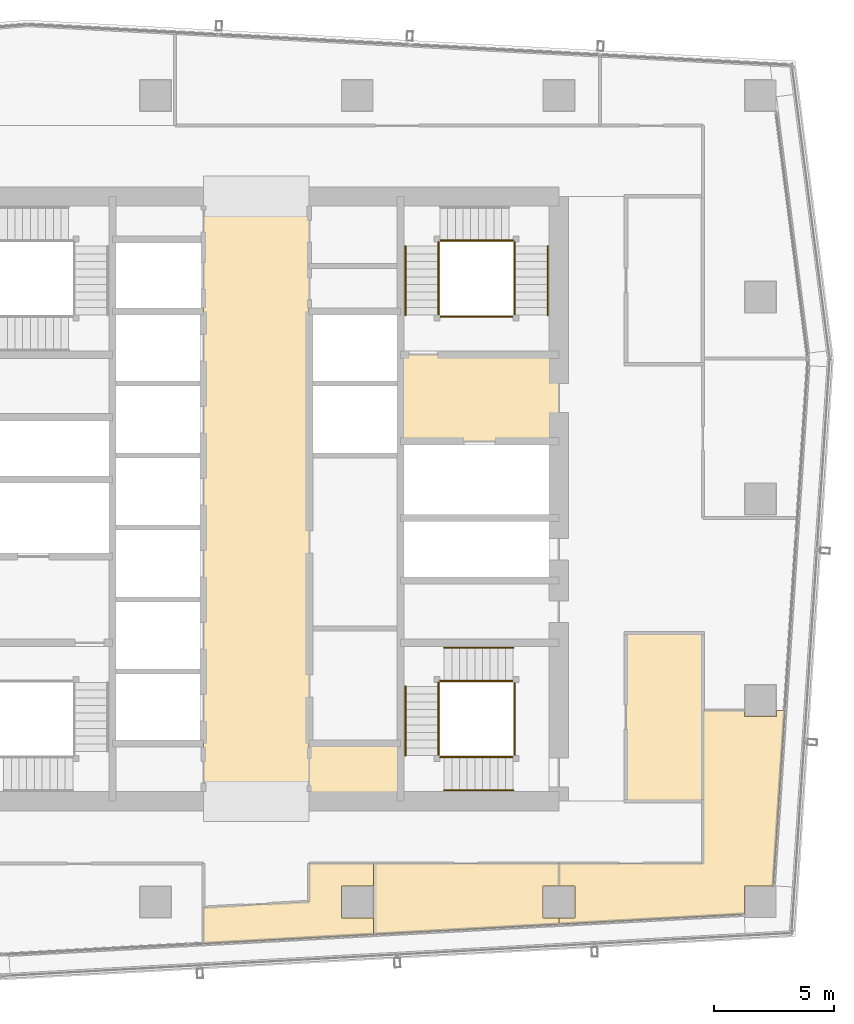
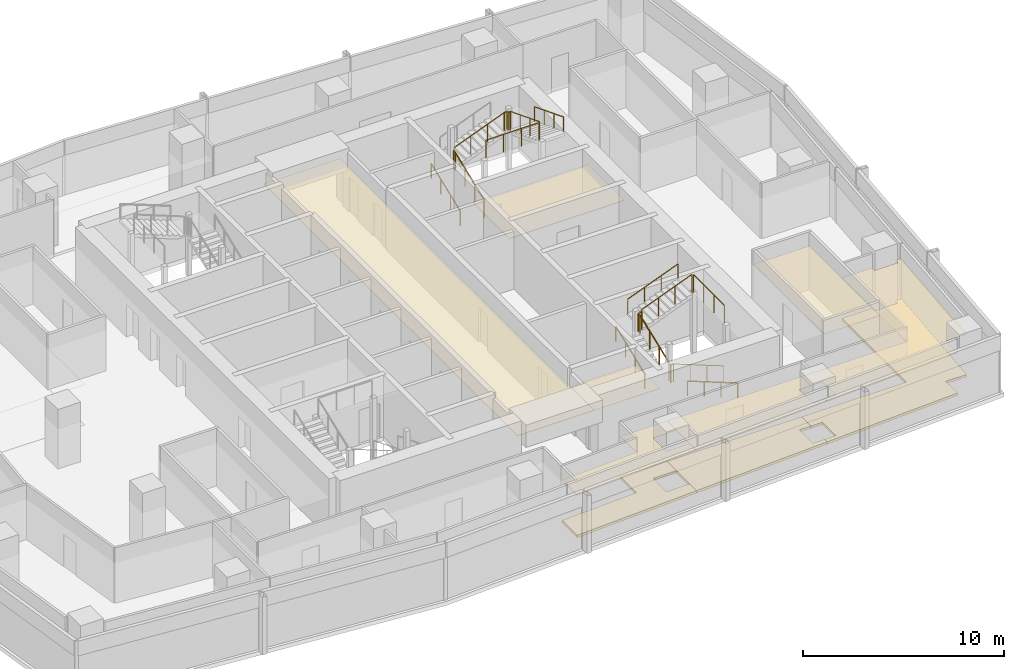
# One storey, part 28 of 29: 19 railings, 10 coverings.
"""IFC4 building model written with IfcOpenShell, lengths in metres."""

import ifcopenshell
import ifcopenshell.guid

model = None  # the IFC model being written
_history = None  # IfcOwnerHistory: only IFC2X3 demands one
_inside = {}  # id of a spatial element -> (the spatial element, [elements in it])
_under = {}  # id of a project, library or spatial element -> (it, [spatial elements below it])
_declared = {}  # id of a project -> (the project, [libraries it declares])
_typed = {}  # id of a type object -> (the type object, [elements of that type])
_made_of = {}  # id of a material, layer set ... -> (it, [elements and type objects made of it])


def new_model(schema):
    """Start an empty IFC model of exactly this schema.

    Asked for "IFC4X3", IfcOpenShell would pick the latest addendum, in which some entities
    have other attributes; the version numbers below select the first issue.
    IFC2X3 requires an IfcOwnerHistory on every rooted entity: one is made here for all.
    """
    global model, _history
    if schema == "IFC4X3":
        model = ifcopenshell.file(schema_version=(4, 3, 0, 0))
    else:
        model = ifcopenshell.file(schema=schema)
    _inside.clear()
    _under.clear()
    _declared.clear()
    _typed.clear()
    _made_of.clear()
    _history = None
    if model.schema == "IFC2X3":
        org = make("IfcOrganization", Name="unknown")
        user = make(
            "IfcPersonAndOrganization",
            ThePerson=make("IfcPerson", FamilyName="unknown"),
            TheOrganization=org,
        )
        app = make(
            "IfcApplication",
            ApplicationDeveloper=org,
            Version="unknown",
            ApplicationFullName="unknown",
            ApplicationIdentifier="unknown",
        )
        _history = make(
            "IfcOwnerHistory",
            OwningUser=user,
            OwningApplication=app,
            ChangeAction="ADDED",
            CreationDate=0,
        )
    return model


def make(cls, **values):
    """One entity of the class cls with the attributes given. An attribute that is None is left unset."""
    return model.create_entity(
        cls, **{name: value for name, value in values.items() if value is not None}
    )


def rooted(cls, **values):
    """An entity with a GlobalId (a new one), such as an element, a storey or a relation."""
    return make(cls, GlobalId=ifcopenshell.guid.new(), OwnerHistory=_history, **values)


def si_unit(unit_type, name, prefix=None):
    """IfcSIUnit, for example si_unit("LENGTHUNIT", "METRE", prefix="MILLI")."""
    return make("IfcSIUnit", UnitType=unit_type, Prefix=prefix, Name=name)


def assignment(units):
    """IfcUnitAssignment: the units of a project."""
    return None if units is None else make("IfcUnitAssignment", Units=units)


def point(xyz):
    """IfcCartesianPoint."""
    return None if xyz is None else make("IfcCartesianPoint", Coordinates=xyz)


def direction(xyz):
    """IfcDirection."""
    return None if xyz is None else make("IfcDirection", DirectionRatios=xyz)


def frame(location, z_axis=None, x_axis=None):
    """IfcAxis2Placement3D, a coordinate frame: its origin and axes. An axis left out is left unset."""
    return make(
        "IfcAxis2Placement3D",
        Location=point(location),
        Axis=direction(z_axis),
        RefDirection=direction(x_axis),
    )


def frame_2d(location, x_axis=None):
    """IfcAxis2Placement2D, a coordinate frame in the plane: its origin and x axis."""
    return make(
        "IfcAxis2Placement2D", Location=point(location), RefDirection=direction(x_axis)
    )


def origin():
    """The frame at (0, 0, 0) with its axes left unset."""
    return frame((0.0, 0.0, 0.0))


def origin_2d():
    """The frame at (0, 0) in the plane with its x axis left unset."""
    return frame_2d((0.0, 0.0))


def place(relative_to, where):
    """IfcLocalPlacement: puts the frame where relative to a parent placement (None: the world)."""
    return make(
        "IfcLocalPlacement", PlacementRelTo=relative_to, RelativePlacement=where
    )


def context(
    kind, dimensions, precision=None, world=None, true_north=None, identifier=None
):
    """IfcGeometricRepresentationContext, for example the 3D "Model" context."""
    return make(
        "IfcGeometricRepresentationContext",
        ContextIdentifier=identifier,
        ContextType=kind,
        CoordinateSpaceDimension=dimensions,
        Precision=precision,
        WorldCoordinateSystem=world,
        TrueNorth=true_north,
    )


def subcontext(parent, identifier, kind, view, scale=None):
    """IfcGeometricRepresentationSubContext, for example "Body" below "Model"."""
    return make(
        "IfcGeometricRepresentationSubContext",
        ContextIdentifier=identifier,
        ContextType=kind,
        ParentContext=parent,
        TargetScale=scale,
        TargetView=view,
    )


def project(units=None, contexts=None):
    """IfcProject with its units and contexts."""
    return rooted(
        "IfcProject",
        Name="project",
        RepresentationContexts=contexts,
        UnitsInContext=assignment(units),
    )


def spatial(cls, under=None, at=None, **own):
    """A site, building, storey or space (cls), placed at a placement, below another one or the project."""
    s = rooted(cls, ObjectPlacement=at, **own)
    if under is not None:
        _under.setdefault(under.id(), (under, []))[1].append(s)
    return s


def polyline(points):
    """IfcPolyline through the points."""
    return make("IfcPolyline", Points=[point(p) for p in points])


def profile(cls, at=None, kind="AREA", **sizes):
    """A parametric profile (cls). Its sizes go by their IFC names, for example OverallWidth=200.0."""
    return make(cls, ProfileType=kind, Position=at, **sizes)


def circle(**sizes):
    """IfcCircleProfileDef."""
    return profile("IfcCircleProfileDef", **sizes)


def outline(outer, holes=None, kind="AREA"):
    """IfcArbitraryClosedProfileDef: a profile drawn as a closed curve; with holes, ...WithVoids."""
    if holes is None:
        return make("IfcArbitraryClosedProfileDef", ProfileType=kind, OuterCurve=outer)
    return make(
        "IfcArbitraryProfileDefWithVoids",
        ProfileType=kind,
        OuterCurve=outer,
        InnerCurves=holes,
    )


def extrude(swept, where, along, depth):
    """IfcExtrudedAreaSolid: the profile swept, set in the frame where, extruded along a direction by depth."""
    return make(
        "IfcExtrudedAreaSolid",
        SweptArea=swept,
        Position=where,
        ExtrudedDirection=direction(along),
        Depth=depth,
    )


def shape(context_of_items, identifier, shape_type, items):
    """IfcShapeRepresentation: the items that make up one representation, for example the "Body"."""
    return make(
        "IfcShapeRepresentation",
        ContextOfItems=context_of_items,
        RepresentationIdentifier=identifier,
        RepresentationType=shape_type,
        Items=items,
    )


def material(Name=None, Category=None):
    """IfcMaterial."""
    return make("IfcMaterial", Name=Name, Category=Category)


def layer(
    of_material, thickness, ventilated=None, Name=None, Category=None, Priority=None
):
    """IfcMaterialLayer: one layer of a wall or slab, of a material (None: an air gap)."""
    return make(
        "IfcMaterialLayer",
        Material=of_material,
        LayerThickness=thickness,
        IsVentilated=ventilated,
        Name=Name,
        Category=Category,
        Priority=Priority,
    )


def layer_set(layers, Name=None):
    """IfcMaterialLayerSet."""
    return make("IfcMaterialLayerSet", MaterialLayers=layers, LayerSetName=Name)


def made_of(thing, what):
    """Note that an element or type object is made of a material, layer set ...; save() writes the relation."""
    if what is not None:
        _made_of.setdefault(what.id(), (what, []))[1].append(thing)
    return thing


def type_object(cls, material=None, **own):
    """A type object (cls), such as IfcWallType, which elements share."""
    return made_of(rooted(cls, **own), material)


def element(
    cls,
    number,
    at=None,
    inside=None,
    cuts=None,
    type_object=None,
    material=None,
    context=None,
    identifier="Body",
    shape_type=None,
    held_by="IfcProductDefinitionShape",
    body=None,
    shapes=None,
    **own,
):
    """One element of the class cls, such as IfcWall. Its Tag is "e" and its number.

    at: its placement. inside: the storey or other place that contains it. cuts: it is an
    opening in that element (IfcRelVoidsElement). A single representation is given by context,
    identifier, shape_type and body (its items); several are given by shapes. held_by: the class
    of the entity that holds the representations. save() writes the other relations.
    """
    e = rooted(cls, Tag="e%d" % number, ObjectPlacement=at, **own)
    if body is not None:
        shapes = [shape(context, identifier, shape_type, body)]
    if shapes is not None:
        e.Representation = make(held_by, Representations=shapes)
    if inside is not None:
        _inside.setdefault(inside.id(), (inside, []))[1].append(e)
    if cuts is not None:
        rooted(
            "IfcRelVoidsElement", RelatingBuildingElement=cuts, RelatedOpeningElement=e
        )
    if type_object is not None:
        _typed.setdefault(type_object.id(), (type_object, []))[1].append(e)
    return made_of(e, material)


def aggregate(whole, parts):
    """IfcRelAggregates: a whole, such as a stair, and the parts it consists of."""
    return rooted("IfcRelAggregates", RelatingObject=whole, RelatedObjects=parts)


def save(model, path):
    """Write the relations noted so far, then the file.

    IfcRelAggregates (storeys below a building ...), IfcRelContainedInSpatialStructure (elements
    in a storey), IfcRelDefinesByType, IfcRelAssociatesMaterial and IfcRelDeclares: one each for
    every whole, place, type object, material and project.
    """
    for whole, parts in _under.values():
        aggregate(whole, parts)
    for where, things in _inside.values():
        rooted(
            "IfcRelContainedInSpatialStructure",
            RelatedElements=things,
            RelatingStructure=where,
        )
    for kind, things in _typed.values():
        rooted("IfcRelDefinesByType", RelatedObjects=things, RelatingType=kind)
    for what, things in _made_of.values():
        rooted("IfcRelAssociatesMaterial", RelatedObjects=things, RelatingMaterial=what)
    for by, libraries in _declared.values():
        rooted("IfcRelDeclares", RelatingContext=by, RelatedDefinitions=libraries)
    model.write(path)


model = new_model("IFC4")

# Units and contexts
model_context = context("Model", 3, precision=1e-05, world=origin(), true_north=direction((0.0, 1.0)))
body_context = subcontext(model_context, "Body", "Model", "MODEL_VIEW")
ifc_project = project(units=[si_unit("LENGTHUNIT", "METRE"), si_unit("AREAUNIT", "SQUARE_METRE"), si_unit("VOLUMEUNIT", "CUBIC_METRE"), si_unit("PLANEANGLEUNIT", "RADIAN"), si_unit("MASSUNIT", "GRAM", prefix="KILO")], contexts=[model_context])

# Site, building, storey
site_placement = place(None, origin())
site = spatial("IfcSite", under=ifc_project, at=site_placement, CompositionType="ELEMENT")
building_placement = place(site_placement, origin())
building = spatial("IfcBuilding", under=site, at=building_placement, Name="Rekha Terrace Tower", CompositionType="ELEMENT")
storey_placement = place(building_placement, frame((0.0, 0.0, 280.10009765625)))
storey = spatial("IfcBuildingStorey", under=building, at=storey_placement, Name="L71", CompositionType="ELEMENT", Elevation=280.10009765625)

# Coverings
ifc_material_1 = material(Name="Mineral fibre tile in exposed grid", Category="finish")
ifc_layer_1 = layer(ifc_material_1, 0.02001953125)
ifc_layer_set_1 = layer_set([ifc_layer_1], Name="Mineral fibre tile in exposed grid")
covering_type_1 = type_object("IfcCoveringType", Name="CL1 600x1200 office grid ceiling", PredefinedType="CEILING", material=ifc_layer_set_1)
covering_1_placement = place(storey_placement, frame((0.0, 0.0, 2.579833984375)))
element("IfcCovering", 1, at=covering_1_placement, inside=storey, type_object=covering_type_1, Name="Ceiling L71-08", PredefinedType="CEILING", context=body_context, shape_type="SweptSolid", body=[
    extrude(outline(polyline([(42.673095703125, 18.39990234375), (40.0, 18.39990234375), (40.0, 16.81103515625), (35.59912109375, 16.571044921875), (35.59912109375, 15.069091796875), (42.673095703125, 15.4541015625), (42.673095703125, 16.135009765625), (41.3349609375, 16.135009765625), (41.3349609375, 17.465087890625), (42.673095703125, 17.465087890625), (42.673095703125, 18.39990234375)])), origin(), (0.0, 0.0, 1.0), 0.02001953125),
])
covering_2_placement = place(storey_placement, frame((0.0, 0.0, 2.579833984375)))
element("IfcCovering", 2, at=covering_2_placement, inside=storey, type_object=covering_type_1, Name="Ceiling L71-09", PredefinedType="CEILING", context=body_context, shape_type="SweptSolid", body=[
    extrude(outline(polyline([(42.674072265625, 18.39990234375), (42.674072265625, 15.4541015625), (50.39990234375, 15.875), (50.39990234375, 16.135009765625), (49.735107421875, 16.135009765625), (49.735107421875, 17.465087890625), (50.39990234375, 17.465087890625), (50.39990234375, 18.39990234375), (42.674072265625, 18.39990234375)])), origin(), (0.0, 0.0, 1.0), 0.02001953125),
])
covering_3_placement = place(storey_placement, frame((0.0, 0.0, 2.579833984375)))
element("IfcCovering", 3, at=covering_3_placement, inside=storey, type_object=covering_type_1, Name="Ceiling L71-10", PredefinedType="CEILING", context=body_context, shape_type="SweptSolid", body=[
    extrude(outline(polyline([(58.135009765625, 24.534912109375), (58.135009765625, 24.785888671875), (56.39990234375, 24.785888671875), (56.39990234375, 18.39990234375), (50.40087890625, 18.39990234375), (50.40087890625, 17.465087890625), (51.06494140625, 17.465087890625), (51.06494140625, 16.135009765625), (50.40087890625, 16.135009765625), (50.40087890625, 15.875), (58.135009765625, 16.2958984375), (58.135009765625, 17.465087890625), (59.327880859375, 17.465087890625), (59.81396484375, 24.785888671875), (59.465087890625, 24.785888671875), (59.465087890625, 24.534912109375), (58.135009765625, 24.534912109375)])), origin(), (0.0, 0.0, 1.0), 0.02001953125),
])
ifc_material_2 = material(Name="Fibre cement board", Category="finish")
ifc_layer_2 = layer(ifc_material_2, 0.014892578125)
ifc_layer_set_2 = layer_set([ifc_layer_2], Name="Fibre cement board")
covering_type_2 = type_object("IfcCoveringType", Name="CL2 moisture-resistant board ceiling", PredefinedType="CEILING", material=ifc_layer_set_2)
covering_4_placement = place(storey_placement, frame((0.0, 0.0, 2.5849609375)))
element("IfcCovering", 4, at=covering_4_placement, inside=storey, type_object=covering_type_2, Name="Ceiling L71-WCA", PredefinedType="CEILING", context=body_context, shape_type="SweptSolid", body=[
    extrude(outline(polyline([(43.800048828125, 23.39990234375), (40.0, 23.39990234375), (40.0, 21.0), (43.800048828125, 21.0), (43.800048828125, 23.39990234375)])), origin(), (0.0, 0.0, 1.0), 0.014892578125),
])
covering_5_placement = place(storey_placement, frame((0.0, 0.0, 2.5849609375)))
element("IfcCovering", 5, at=covering_5_placement, inside=storey, type_object=covering_type_2, Name="Ceiling L71-WCM2", PredefinedType="CEILING", context=body_context, shape_type="SweptSolid", body=[
    extrude(outline(polyline([(56.39990234375, 28.0), (53.199951171875, 28.0), (53.199951171875, 21.0), (56.39990234375, 21.0), (56.39990234375, 28.0)])), origin(), (0.0, 0.0, 1.0), 0.014892578125),
])
ifc_material_3 = material(Name="Powder-coated aluminium pan", Category="aluminium")
ifc_layer_3 = layer(ifc_material_3, 0.030029296875)
ifc_layer_set_3 = layer_set([ifc_layer_3], Name="Powder-coated aluminium pan")
covering_type_3 = type_object("IfcCoveringType", Name="CL3 300x1200 metal pan ceiling", PredefinedType="CEILING", material=ifc_layer_set_3)
covering_6_placement = place(storey_placement, frame((0.0, 0.0, 2.56982421875)))
element("IfcCovering", 6, at=covering_6_placement, inside=storey, type_object=covering_type_3, Name="Ceiling L71-LOBBY", PredefinedType="CEILING", context=body_context, shape_type="SweptSolid", body=[
    extrude(outline(polyline([(40.0, 46.199951171875), (35.60009765625, 46.199951171875), (35.60009765625, 21.0), (40.0, 21.0), (40.0, 46.199951171875)])), origin(), (0.0, 0.0, 1.0), 0.030029296875),
])
covering_7_placement = place(storey_placement, frame((0.0, 0.0, 2.56982421875)))
element("IfcCovering", 7, at=covering_7_placement, inside=storey, type_object=covering_type_3, Name="Ceiling L71-FLB2", PredefinedType="CEILING", context=body_context, shape_type="SweptSolid", body=[
    extrude(outline(polyline([(50.39990234375, 39.60009765625), (43.800048828125, 39.60009765625), (43.800048828125, 36.0), (50.39990234375, 36.0), (50.39990234375, 39.60009765625)])), origin(), (0.0, 0.0, 1.0), 0.030029296875),
])

# Railings
ifc_material_4 = material(Name="Stainless steel balustrade", Category="steel")
railing_type_1 = type_object("IfcRailingType", Name="GR1 1100 stair guard", PredefinedType="GUARDRAIL", material=ifc_material_4)
railing_1_placement = place(storey_placement, frame((45.389892578125, 41.25, 0.125)))
element("IfcRailing", 8, at=railing_1_placement, inside=storey, type_object=railing_type_1, Name="Guard ST2 L71 flight 1", PredefinedType="GUARDRAIL", context=body_context, shape_type="SweptSolid", body=[
    extrude(circle(Radius=0.02392578125, at=origin_2d()), frame((0.0, 0.0, 1.076171875), z_axis=(0.0, 0.931452331594, 0.363863372667), x_axis=(-1.0, 0.0, 0.0)), (0.0, 0.0, 1.0), 3.091796875),
    extrude(circle(Radius=0.02099609375, at=origin_2d()), origin(), (0.0, 0.0, 1.0), 1.052001953125),
    extrude(circle(Radius=0.02099609375, at=origin_2d()), frame((0.0, 0.9599609375, 0.375)), (0.0, 0.0, 1.0), 1.052001953125),
    extrude(circle(Radius=0.02099609375, at=origin_2d()), frame((0.0, 1.919921875, 0.75)), (0.0, 0.0, 1.0), 1.052001953125),
    extrude(circle(Radius=0.02099609375, at=origin_2d()), frame((0.0, 2.8798828125, 1.125)), (0.0, 0.0, 1.0), 1.052001953125),
])
railing_2_placement = place(storey_placement, frame((45.449951171875, 44.360107421875, 1.375)))
element("IfcRailing", 9, at=railing_2_placement, inside=storey, type_object=railing_type_1, Name="Guard ST2 L71 flight 2", PredefinedType="GUARDRAIL", context=body_context, shape_type="SweptSolid", body=[
    extrude(circle(Radius=0.02392578125, at=origin_2d()), frame((0.0, 0.0, 1.076171875), z_axis=(0.931462784923, 0.0, 0.363836612098), x_axis=(0.0, 1.0, 0.0)), (0.0, 0.0, 1.0), 3.092041015625),
    extrude(circle(Radius=0.02099609375, at=origin_2d()), origin(), (0.0, 0.0, 1.0), 1.052001953125),
    extrude(circle(Radius=0.02099609375, at=origin_2d()), frame((0.9599609375, 0.0, 0.375)), (0.0, 0.0, 1.0), 1.052001953125),
    extrude(circle(Radius=0.02099609375, at=origin_2d()), frame((1.920166015625, 0.0, 0.75)), (0.0, 0.0, 1.0), 1.052001953125),
    extrude(circle(Radius=0.02099609375, at=origin_2d()), frame((2.880126953125, 0.0, 1.125)), (0.0, 0.0, 1.0), 1.052001953125),
])
railing_3_placement = place(storey_placement, frame((48.56005859375, 44.1298828125, 2.625)))
element("IfcRailing", 10, at=railing_3_placement, inside=storey, type_object=railing_type_1, Name="Guard ST2 L71 flight 3", PredefinedType="GUARDRAIL", context=body_context, shape_type="SweptSolid", body=[
    extrude(circle(Radius=0.02392578125, at=origin_2d()), frame((0.0, 0.0, 1.076171875), z_axis=(0.0, -0.931452331594, 0.363863372667), x_axis=(1.0, 0.0, 0.0)), (0.0, 0.0, 1.0), 3.091796875),
    extrude(circle(Radius=0.02099609375, at=origin_2d()), origin(), (0.0, 0.0, 1.0), 1.052001953125),
    extrude(circle(Radius=0.02099609375, at=origin_2d()), frame((0.0, -0.9599609375, 0.375)), (0.0, 0.0, 1.0), 1.052001953125),
    extrude(circle(Radius=0.02099609375, at=origin_2d()), frame((0.0, -1.919921875, 0.75)), (0.0, 0.0, 1.0), 1.052001953125),
    extrude(circle(Radius=0.02099609375, at=origin_2d()), frame((0.0, -2.8798828125, 1.125)), (0.0, 0.0, 1.0), 1.052001953125),
])
railing_4_placement = place(storey_placement, frame((45.389892578125, 44.1298828125, 1.25)))
element("IfcRailing", 11, at=railing_4_placement, inside=storey, type_object=railing_type_1, Name="Guard ST2 L71 landing 1", PredefinedType="GUARDRAIL", context=body_context, shape_type="SweptSolid", body=[
    extrude(circle(Radius=0.02392578125, at=origin_2d()), frame((0.0, 0.0, 1.076171875), z_axis=(0.0, 1.0, 0.0), x_axis=(-1.0, 0.0, 0.0)), (0.0, 0.0, 1.0), 0.170166015625),
    extrude(circle(Radius=0.02099609375, at=origin_2d()), origin(), (0.0, 0.0, 1.0), 1.052001953125),
    extrude(circle(Radius=0.02099609375, at=origin_2d()), frame((0.0, 0.170166015625, 0.0)), (0.0, 0.0, 1.0), 1.052001953125),
])
railing_5_placement = place(storey_placement, frame((48.330078125, 44.360107421875, 2.5)))
element("IfcRailing", 12, at=railing_5_placement, inside=storey, type_object=railing_type_1, Name="Guard ST2 L71 landing 2", PredefinedType="GUARDRAIL", context=body_context, shape_type="SweptSolid", body=[
    extrude(circle(Radius=0.02392578125, at=origin_2d()), frame((0.0, 0.0, 1.076171875), z_axis=(1.0, 0.0, 0.0), x_axis=(0.0, 1.0, 0.0)), (0.0, 0.0, 1.0), 0.169921875),
    extrude(circle(Radius=0.02099609375, at=origin_2d()), origin(), (0.0, 0.0, 1.0), 1.052001953125),
    extrude(circle(Radius=0.02099609375, at=origin_2d()), frame((0.169921875, 0.0, 0.0)), (0.0, 0.0, 1.0), 1.052001953125),
])
railing_6_placement = place(storey_placement, frame((48.56005859375, 44.1298828125, 2.5)))
element("IfcRailing", 13, at=railing_6_placement, inside=storey, type_object=railing_type_1, Name="Guard ST2 L71 landing 3", PredefinedType="GUARDRAIL", context=body_context, shape_type="SweptSolid", body=[
    extrude(circle(Radius=0.02392578125, at=origin_2d()), frame((0.0, 0.0, 1.076171875), z_axis=(0.0, 1.0, 0.0), x_axis=(-1.0, 0.0, 0.0)), (0.0, 0.0, 1.0), 0.170166015625),
    extrude(circle(Radius=0.02099609375, at=origin_2d()), origin(), (0.0, 0.0, 1.0), 1.052001953125),
    extrude(circle(Radius=0.02099609375, at=origin_2d()), frame((0.0, 0.170166015625, 0.0)), (0.0, 0.0, 1.0), 1.052001953125),
])
railing_7_placement = place(storey_placement, frame((45.449951171875, 41.18994140625, 3.75)))
element("IfcRailing", 14, at=railing_7_placement, inside=storey, type_object=railing_type_1, Name="Guard ST2 L71 landing 4", PredefinedType="GUARDRAIL", context=body_context, shape_type="SweptSolid", body=[
    extrude(circle(Radius=0.02392578125, at=origin_2d()), frame((0.0, 0.0, 1.076171875), z_axis=(1.0, 0.0, 0.0), x_axis=(0.0, 1.0, 0.0)), (0.0, 0.0, 1.0), 3.050048828125),
    extrude(circle(Radius=0.02099609375, at=origin_2d()), origin(), (0.0, 0.0, 1.0), 1.052001953125),
    extrude(circle(Radius=0.02099609375, at=origin_2d()), frame((1.0166015625, 0.0, 0.0)), (0.0, 0.0, 1.0), 1.052001953125),
    extrude(circle(Radius=0.02099609375, at=origin_2d()), frame((2.033447265625, 0.0, 0.0)), (0.0, 0.0, 1.0), 1.052001953125),
    extrude(circle(Radius=0.02099609375, at=origin_2d()), frame((3.050048828125, 0.0, 0.0)), (0.0, 0.0, 1.0), 1.052001953125),
])
railing_8_placement = place(storey_placement, frame((48.5, 22.840087890625, 0.125)))
element("IfcRailing", 15, at=railing_8_placement, inside=storey, type_object=railing_type_1, Name="Guard ST3 L71 flight 1", PredefinedType="GUARDRAIL", context=body_context, shape_type="SweptSolid", body=[
    extrude(circle(Radius=0.02392578125, at=origin_2d()), frame((0.0, 0.0, 1.076171875), z_axis=(-0.931452331594, 0.0, 0.363863372667), x_axis=(0.0, -1.0, 0.0)), (0.0, 0.0, 1.0), 3.091796875),
    extrude(circle(Radius=0.02099609375, at=origin_2d()), origin(), (0.0, 0.0, 1.0), 1.052001953125),
    extrude(circle(Radius=0.02099609375, at=origin_2d()), frame((-0.9599609375, 0.0, 0.375)), (0.0, 0.0, 1.0), 1.052001953125),
    extrude(circle(Radius=0.02099609375, at=origin_2d()), frame((-1.919921875, 0.0, 0.75)), (0.0, 0.0, 1.0), 1.052001953125),
    extrude(circle(Radius=0.02099609375, at=origin_2d()), frame((-2.8798828125, 0.0, 1.125)), (0.0, 0.0, 1.0), 1.052001953125),
])
railing_9_placement = place(storey_placement, frame((45.389892578125, 22.89990234375, 1.375)))
element("IfcRailing", 16, at=railing_9_placement, inside=storey, type_object=railing_type_1, Name="Guard ST3 L71 flight 2", PredefinedType="GUARDRAIL", context=body_context, shape_type="SweptSolid", body=[
    extrude(circle(Radius=0.02392578125, at=origin_2d()), frame((0.0, 0.0, 1.076171875), z_axis=(0.0, 0.931462784923, 0.363836612098), x_axis=(-1.0, 0.0, 0.0)), (0.0, 0.0, 1.0), 3.092041015625),
    extrude(circle(Radius=0.02099609375, at=origin_2d()), origin(), (0.0, 0.0, 1.0), 1.052001953125),
    extrude(circle(Radius=0.02099609375, at=origin_2d()), frame((0.0, 0.9599609375, 0.375)), (0.0, 0.0, 1.0), 1.052001953125),
    extrude(circle(Radius=0.02099609375, at=origin_2d()), frame((0.0, 1.920166015625, 0.75)), (0.0, 0.0, 1.0), 1.052001953125),
    extrude(circle(Radius=0.02099609375, at=origin_2d()), frame((0.0, 2.880126953125, 1.125)), (0.0, 0.0, 1.0), 1.052001953125),
])
railing_10_placement = place(storey_placement, frame((45.6201171875, 26.010009765625, 2.625)))
element("IfcRailing", 17, at=railing_10_placement, inside=storey, type_object=railing_type_1, Name="Guard ST3 L71 flight 3", PredefinedType="GUARDRAIL", context=body_context, shape_type="SweptSolid", body=[
    extrude(circle(Radius=0.02392578125, at=origin_2d()), frame((0.0, 0.0, 1.076171875), z_axis=(0.931452331594, 0.0, 0.363863372667), x_axis=(0.0, 1.0, 0.0)), (0.0, 0.0, 1.0), 3.091796875),
    extrude(circle(Radius=0.02099609375, at=origin_2d()), origin(), (0.0, 0.0, 1.0), 1.052001953125),
    extrude(circle(Radius=0.02099609375, at=origin_2d()), frame((0.9599609375, 0.0, 0.375)), (0.0, 0.0, 1.0), 1.052001953125),
    extrude(circle(Radius=0.02099609375, at=origin_2d()), frame((1.919921875, 0.0, 0.75)), (0.0, 0.0, 1.0), 1.052001953125),
    extrude(circle(Radius=0.02099609375, at=origin_2d()), frame((2.8798828125, 0.0, 1.125)), (0.0, 0.0, 1.0), 1.052001953125),
])
railing_11_placement = place(storey_placement, frame((45.6201171875, 22.840087890625, 1.25)))
element("IfcRailing", 18, at=railing_11_placement, inside=storey, type_object=railing_type_1, Name="Guard ST3 L71 landing 1", PredefinedType="GUARDRAIL", context=body_context, shape_type="SweptSolid", body=[
    extrude(circle(Radius=0.02392578125, at=origin_2d()), frame((0.0, 0.0, 1.076171875), z_axis=(-1.0, 0.0, 0.0), x_axis=(0.0, -1.0, 0.0)), (0.0, 0.0, 1.0), 0.170166015625),
    extrude(circle(Radius=0.02099609375, at=origin_2d()), origin(), (0.0, 0.0, 1.0), 1.052001953125),
    extrude(circle(Radius=0.02099609375, at=origin_2d()), frame((-0.170166015625, 0.0, 0.0)), (0.0, 0.0, 1.0), 1.052001953125),
])
railing_12_placement = place(storey_placement, frame((45.389892578125, 25.780029296875, 2.5)))
element("IfcRailing", 19, at=railing_12_placement, inside=storey, type_object=railing_type_1, Name="Guard ST3 L71 landing 2", PredefinedType="GUARDRAIL", context=body_context, shape_type="SweptSolid", body=[
    extrude(circle(Radius=0.02392578125, at=origin_2d()), frame((0.0, 0.0, 1.076171875), z_axis=(0.0, 1.0, 0.0), x_axis=(-1.0, 0.0, 0.0)), (0.0, 0.0, 1.0), 0.169921875),
    extrude(circle(Radius=0.02099609375, at=origin_2d()), origin(), (0.0, 0.0, 1.0), 1.052001953125),
    extrude(circle(Radius=0.02099609375, at=origin_2d()), frame((0.0, 0.169921875, 0.0)), (0.0, 0.0, 1.0), 1.052001953125),
])
railing_13_placement = place(storey_placement, frame((45.6201171875, 26.010009765625, 2.5)))
element("IfcRailing", 20, at=railing_13_placement, inside=storey, type_object=railing_type_1, Name="Guard ST3 L71 landing 3", PredefinedType="GUARDRAIL", context=body_context, shape_type="SweptSolid", body=[
    extrude(circle(Radius=0.02392578125, at=origin_2d()), frame((0.0, 0.0, 1.076171875), z_axis=(-1.0, 0.0, 0.0), x_axis=(0.0, -1.0, 0.0)), (0.0, 0.0, 1.0), 0.170166015625),
    extrude(circle(Radius=0.02099609375, at=origin_2d()), origin(), (0.0, 0.0, 1.0), 1.052001953125),
    extrude(circle(Radius=0.02099609375, at=origin_2d()), frame((-0.170166015625, 0.0, 0.0)), (0.0, 0.0, 1.0), 1.052001953125),
])
railing_14_placement = place(storey_placement, frame((48.56005859375, 22.89990234375, 3.75)))
element("IfcRailing", 21, at=railing_14_placement, inside=storey, type_object=railing_type_1, Name="Guard ST3 L71 landing 4", PredefinedType="GUARDRAIL", context=body_context, shape_type="SweptSolid", body=[
    extrude(circle(Radius=0.02392578125, at=origin_2d()), frame((0.0, 0.0, 1.076171875), z_axis=(0.0, 1.0, 0.0), x_axis=(-1.0, 0.0, 0.0)), (0.0, 0.0, 1.0), 3.050048828125),
    extrude(circle(Radius=0.02099609375, at=origin_2d()), origin(), (0.0, 0.0, 1.0), 1.052001953125),
    extrude(circle(Radius=0.02099609375, at=origin_2d()), frame((0.0, 1.0166015625, 0.0)), (0.0, 0.0, 1.0), 1.052001953125),
    extrude(circle(Radius=0.02099609375, at=origin_2d()), frame((0.0, 2.033447265625, 0.0)), (0.0, 0.0, 1.0), 1.052001953125),
    extrude(circle(Radius=0.02099609375, at=origin_2d()), frame((0.0, 3.050048828125, 0.0)), (0.0, 0.0, 1.0), 1.052001953125),
])
ifc_material_5 = material(Name="Stainless steel tube", Category="steel")
railing_type_2 = type_object("IfcRailingType", Name="HR1 900 stair handrail", PredefinedType="HANDRAIL", material=ifc_material_5)
railing_15_placement = place(storey_placement, frame((44.010009765625, 41.25, 0.125)))
element("IfcRailing", 22, at=railing_15_placement, inside=storey, type_object=railing_type_2, Name="Handrail ST2 L71 flight 1", PredefinedType="HANDRAIL", context=body_context, shape_type="SweptSolid", body=[
    extrude(circle(Radius=0.02392578125, at=origin_2d()), frame((0.0, 0.0, 0.8759765625), z_axis=(0.0, 0.931452331594, 0.363863372667), x_axis=(-1.0, 0.0, 0.0)), (0.0, 0.0, 1.0), 3.091796875),
    extrude(circle(Radius=0.02099609375, at=origin_2d()), origin(), (0.0, 0.0, 1.0), 0.851806640625),
    extrude(circle(Radius=0.02099609375, at=origin_2d()), frame((0.0, 0.9599609375, 0.375)), (0.0, 0.0, 1.0), 0.851806640625),
    extrude(circle(Radius=0.02099609375, at=origin_2d()), frame((0.0, 1.919921875, 0.75)), (0.0, 0.0, 1.0), 0.851806640625),
    extrude(circle(Radius=0.02099609375, at=origin_2d()), frame((0.0, 2.8798828125, 1.125)), (0.0, 0.0, 1.0), 0.851806640625),
])
railing_16_placement = place(storey_placement, frame((49.93994140625, 44.1298828125, 2.625)))
element("IfcRailing", 23, at=railing_16_placement, inside=storey, type_object=railing_type_2, Name="Handrail ST2 L71 flight 3", PredefinedType="HANDRAIL", context=body_context, shape_type="SweptSolid", body=[
    extrude(circle(Radius=0.02392578125, at=origin_2d()), frame((0.0, 0.0, 0.8759765625), z_axis=(0.0, -0.931452331594, 0.363863372667), x_axis=(1.0, 0.0, 0.0)), (0.0, 0.0, 1.0), 3.091796875),
    extrude(circle(Radius=0.02099609375, at=origin_2d()), origin(), (0.0, 0.0, 1.0), 0.851806640625),
    extrude(circle(Radius=0.02099609375, at=origin_2d()), frame((0.0, -0.9599609375, 0.375)), (0.0, 0.0, 1.0), 0.851806640625),
    extrude(circle(Radius=0.02099609375, at=origin_2d()), frame((0.0, -1.919921875, 0.75)), (0.0, 0.0, 1.0), 0.851806640625),
    extrude(circle(Radius=0.02099609375, at=origin_2d()), frame((0.0, -2.8798828125, 1.125)), (0.0, 0.0, 1.0), 0.851806640625),
])
railing_17_placement = place(storey_placement, frame((48.5, 21.4599609375, 0.125)))
element("IfcRailing", 24, at=railing_17_placement, inside=storey, type_object=railing_type_2, Name="Handrail ST3 L71 flight 1", PredefinedType="HANDRAIL", context=body_context, shape_type="SweptSolid", body=[
    extrude(circle(Radius=0.02392578125, at=origin_2d()), frame((0.0, 0.0, 0.8759765625), z_axis=(-0.931452331594, 0.0, 0.363863372667), x_axis=(0.0, -1.0, 0.0)), (0.0, 0.0, 1.0), 3.091796875),
    extrude(circle(Radius=0.02099609375, at=origin_2d()), origin(), (0.0, 0.0, 1.0), 0.851806640625),
    extrude(circle(Radius=0.02099609375, at=origin_2d()), frame((-0.9599609375, 0.0, 0.375)), (0.0, 0.0, 1.0), 0.851806640625),
    extrude(circle(Radius=0.02099609375, at=origin_2d()), frame((-1.919921875, 0.0, 0.75)), (0.0, 0.0, 1.0), 0.851806640625),
    extrude(circle(Radius=0.02099609375, at=origin_2d()), frame((-2.8798828125, 0.0, 1.125)), (0.0, 0.0, 1.0), 0.851806640625),
])
railing_18_placement = place(storey_placement, frame((44.010009765625, 22.89990234375, 1.375)))
element("IfcRailing", 25, at=railing_18_placement, inside=storey, type_object=railing_type_2, Name="Handrail ST3 L71 flight 2", PredefinedType="HANDRAIL", context=body_context, shape_type="SweptSolid", body=[
    extrude(circle(Radius=0.02392578125, at=origin_2d()), frame((0.0, 0.0, 0.8759765625), z_axis=(0.0, 0.931462784923, 0.363836612098), x_axis=(-1.0, 0.0, 0.0)), (0.0, 0.0, 1.0), 3.092041015625),
    extrude(circle(Radius=0.02099609375, at=origin_2d()), origin(), (0.0, 0.0, 1.0), 0.851806640625),
    extrude(circle(Radius=0.02099609375, at=origin_2d()), frame((0.0, 0.9599609375, 0.375)), (0.0, 0.0, 1.0), 0.851806640625),
    extrude(circle(Radius=0.02099609375, at=origin_2d()), frame((0.0, 1.920166015625, 0.75)), (0.0, 0.0, 1.0), 0.851806640625),
    extrude(circle(Radius=0.02099609375, at=origin_2d()), frame((0.0, 2.880126953125, 1.125)), (0.0, 0.0, 1.0), 0.851806640625),
])
railing_19_placement = place(storey_placement, frame((45.6201171875, 27.389892578125, 2.625)))
element("IfcRailing", 26, at=railing_19_placement, inside=storey, type_object=railing_type_2, Name="Handrail ST3 L71 flight 3", PredefinedType="HANDRAIL", context=body_context, shape_type="SweptSolid", body=[
    extrude(circle(Radius=0.02392578125, at=origin_2d()), frame((0.0, 0.0, 0.8759765625), z_axis=(0.931452331594, 0.0, 0.363863372667), x_axis=(0.0, 1.0, 0.0)), (0.0, 0.0, 1.0), 3.091796875),
    extrude(circle(Radius=0.02099609375, at=origin_2d()), origin(), (0.0, 0.0, 1.0), 0.851806640625),
    extrude(circle(Radius=0.02099609375, at=origin_2d()), frame((0.9599609375, 0.0, 0.375)), (0.0, 0.0, 1.0), 0.851806640625),
    extrude(circle(Radius=0.02099609375, at=origin_2d()), frame((1.919921875, 0.0, 0.75)), (0.0, 0.0, 1.0), 0.851806640625),
    extrude(circle(Radius=0.02099609375, at=origin_2d()), frame((2.8798828125, 0.0, 1.125)), (0.0, 0.0, 1.0), 0.851806640625),
])

# Coverings
ifc_material_6 = material(Name="Calcium sulphate panels on steel pedestals", Category="steel")
ifc_layer_4 = layer(ifc_material_6, 0.14990234375)
ifc_layer_set_4 = layer_set([ifc_layer_4], Name="Calcium sulphate panels on steel pedestals")
covering_type_4 = type_object("IfcCoveringType", Name="RF1 150 raised access floor", PredefinedType="FLOORING", material=ifc_layer_set_4)
covering_8_placement = place(storey_placement, origin())
element("IfcCovering", 27, at=covering_8_placement, inside=storey, type_object=covering_type_4, Name="Raised floor L71-08", PredefinedType="FLOORING", context=body_context, shape_type="SweptSolid", body=[
    extrude(outline(polyline([(42.673095703125, 18.39990234375), (40.0, 18.39990234375), (40.0, 16.81103515625), (35.59912109375, 16.571044921875), (35.59912109375, 15.069091796875), (42.673095703125, 15.4541015625), (42.673095703125, 16.135009765625), (41.3349609375, 16.135009765625), (41.3349609375, 17.465087890625), (42.673095703125, 17.465087890625), (42.673095703125, 18.39990234375)])), origin(), (0.0, 0.0, 1.0), 0.14990234375),
])
covering_9_placement = place(storey_placement, origin())
element("IfcCovering", 28, at=covering_9_placement, inside=storey, type_object=covering_type_4, Name="Raised floor L71-09", PredefinedType="FLOORING", context=body_context, shape_type="SweptSolid", body=[
    extrude(outline(polyline([(42.674072265625, 18.39990234375), (42.674072265625, 15.4541015625), (50.39990234375, 15.875), (50.39990234375, 16.135009765625), (49.735107421875, 16.135009765625), (49.735107421875, 17.465087890625), (50.39990234375, 17.465087890625), (50.39990234375, 18.39990234375), (42.674072265625, 18.39990234375)])), origin(), (0.0, 0.0, 1.0), 0.14990234375),
])
covering_10_placement = place(storey_placement, origin())
element("IfcCovering", 29, at=covering_10_placement, inside=storey, type_object=covering_type_4, Name="Raised floor L71-10", PredefinedType="FLOORING", context=body_context, shape_type="SweptSolid", body=[
    extrude(outline(polyline([(58.135009765625, 24.534912109375), (58.135009765625, 24.785888671875), (56.39990234375, 24.785888671875), (56.39990234375, 18.39990234375), (50.40087890625, 18.39990234375), (50.40087890625, 17.465087890625), (51.06494140625, 17.465087890625), (51.06494140625, 16.135009765625), (50.40087890625, 16.135009765625), (50.40087890625, 15.875), (58.135009765625, 16.2958984375), (58.135009765625, 17.465087890625), (59.327880859375, 17.465087890625), (59.81396484375, 24.785888671875), (59.465087890625, 24.785888671875), (59.465087890625, 24.534912109375), (58.135009765625, 24.534912109375)])), origin(), (0.0, 0.0, 1.0), 0.14990234375),
])

save(model, "model.ifc")
